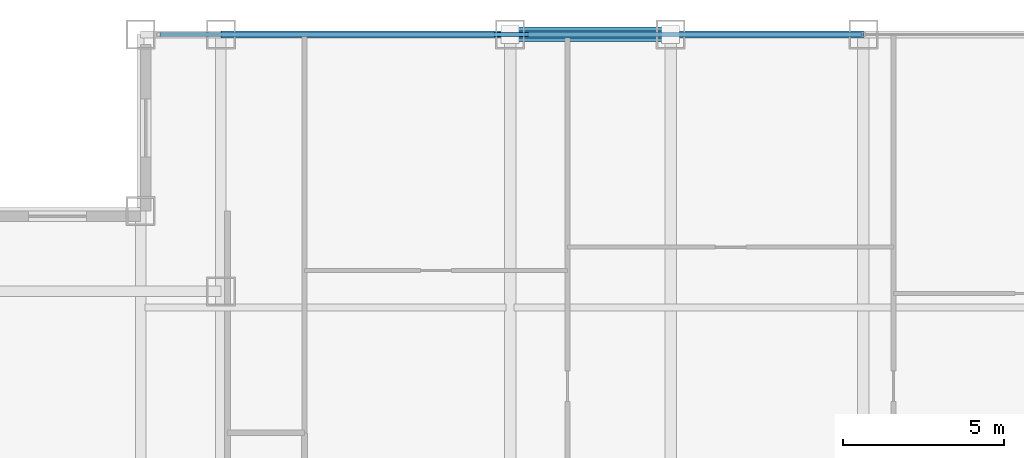
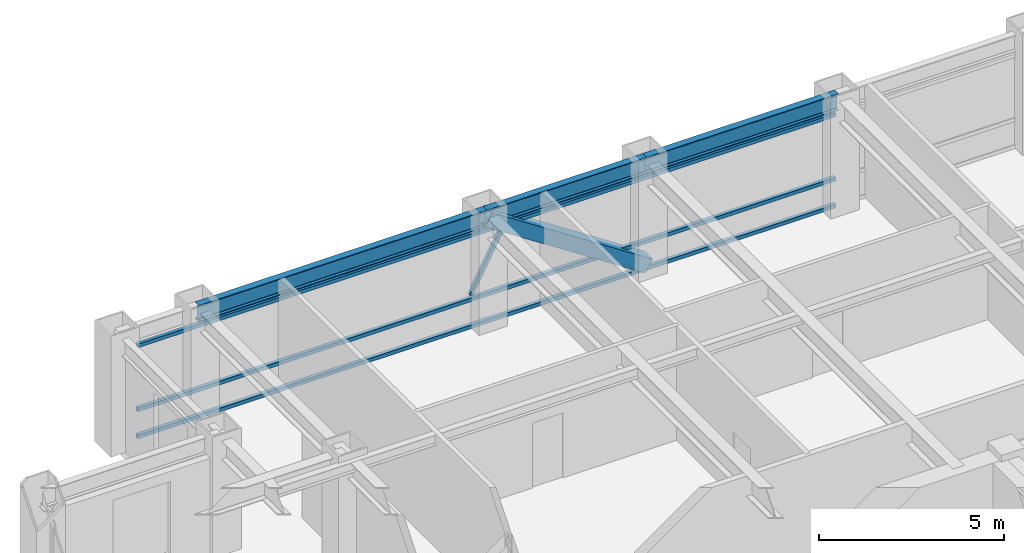
# One storey, part 13 of 22: 5 members, 3 beams, 1 element without a shape of its own.
"""IFC4 building model written with IfcOpenShell, lengths in metres."""

from ifc_helpers import new_model, si_unit, direction, frame, origin, origin_2d, place, context, subcontext, project, spatial, hollow_rectangle, i_section, extrude, source, transform, mapped, material, material_profile, profile_set, type_object, element, aggregate, save


model = new_model("IFC4")

# Units and contexts
model_context = context("Model", 3, precision=1e-05, world=origin(), true_north=direction((0.0, 1.0)))
body_context = subcontext(model_context, "Body", "Model", "MODEL_VIEW")
ifc_project = project(units=[si_unit("LENGTHUNIT", "METRE"), si_unit("AREAUNIT", "SQUARE_METRE"), si_unit("VOLUMEUNIT", "CUBIC_METRE"), si_unit("PLANEANGLEUNIT", "RADIAN"), si_unit("MASSUNIT", "GRAM", prefix="KILO")], contexts=[model_context])

# Site, building, storey
site_placement = place(None, origin())
site = spatial("IfcSite", under=ifc_project, at=site_placement, CompositionType="ELEMENT")
building_placement = place(site_placement, origin())
building = spatial("IfcBuilding", under=site, at=building_placement, Name="Khorayat Bourse Tower", CompositionType="ELEMENT")
storey_placement = place(building_placement, frame((0.0, 0.0, 309.5)))
storey = spatial("IfcBuildingStorey", under=building, at=storey_placement, Name="L73", CompositionType="ELEMENT", Elevation=309.5)

# Member
ifc_material_1 = material(Name="Steel EN 10025-4 S460M", Category="steel")
ifc_material_profile_1 = material_profile(ifc_material_1, hollow_rectangle(XDim=0.449951171875, YDim=0.449951171875, WallThickness=0.02490234375, at=origin_2d()), Name="HSS 450x450x25")
ifc_profile_set_1 = profile_set([ifc_material_profile_1], Name="Steel EN 10025-4 S460M")
member_type_1 = type_object("IfcMemberType", Name="MBR-TUBE-450", PredefinedType="BRACE", material=ifc_profile_set_1)
shared_shape_1 = source(origin(), body_context, "Body", "SweptSolid", [
    extrude(hollow_rectangle(XDim=0.449951171875, YDim=0.449951171875, WallThickness=0.02490234375, at=origin_2d()), origin(), (0.0, 0.0, 1.0), 5.979736328125),
])
member_1_placement = place(storey_placement, frame((-11.0, 28.0, 3.530029296875), z_axis=(0.836141536525, 0.0, -0.548513747227), x_axis=(0.0, 1.0, 0.0)))
element("IfcMember", 1, at=member_1_placement, inside=storey, type_object=member_type_1, Name="L73 Perimeter Tube Brace 03", PredefinedType="BRACE", context=body_context, shape_type="MappedRepresentation", body=[
    mapped(shared_shape_1, transform((0.0, 0.0, 0.0), scale=1.0)),
])

# Beams
ifc_material_2 = material(Name="Steel ASTM A992 Grade 50", Category="steel")
ifc_material_profile_2 = material_profile(ifc_material_2, i_section(OverallWidth=0.214111328125, OverallDepth=0.549072265625, WebThickness=0.0146484375, FlangeThickness=0.023681640625, FilletRadius=0.013916015625, at=origin_2d()), Name="W530X138")
ifc_profile_set_2 = profile_set([ifc_material_profile_2], Name="Steel ASTM A992 Grade 50")
beam_type = type_object("IfcBeamType", Name="BM-SPAN-530", PredefinedType="SPANDREL", material=ifc_profile_set_2)
shared_shape_2 = source(origin(), body_context, "Body", "SweptSolid", [
    extrude(i_section(OverallWidth=0.214111328125, OverallDepth=0.549072265625, WebThickness=0.0146484375, FlangeThickness=0.023681640625, FilletRadius=0.013916015625, at=origin_2d()), origin(), (0.0, 0.0, 1.0), 9.0),
])
beam_1_placement = place(storey_placement, frame((-20.0, 28.0, 3.505615234375), z_axis=(1.0, 0.0, 0.0), x_axis=(0.0, 1.0, 0.0)))
element("IfcBeam", 2, at=beam_1_placement, inside=storey, type_object=beam_type, Name="L73 BM-SPAN-530 BM-L73-SPN-050", PredefinedType="SPANDREL", context=body_context, shape_type="MappedRepresentation", body=[
    mapped(shared_shape_2, transform((0.0, 0.0, 0.0), scale=1.0)),
])
shared_shape_3 = source(origin(), body_context, "Body", "SweptSolid", [
    extrude(i_section(OverallWidth=0.214111328125, OverallDepth=0.549072265625, WebThickness=0.0146484375, FlangeThickness=0.023681640625, FilletRadius=0.013916015625, at=origin_2d()), origin(), (0.0, 0.0, 1.0), 5.0),
])
beam_2_placement = place(storey_placement, frame((-11.0, 28.0, 3.505615234375), z_axis=(1.0, 0.0, 0.0), x_axis=(0.0, 1.0, 0.0)))
element("IfcBeam", 3, at=beam_2_placement, inside=storey, type_object=beam_type, Name="L73 BM-SPAN-530 BM-L73-SPN-049", PredefinedType="SPANDREL", context=body_context, shape_type="MappedRepresentation", body=[
    mapped(shared_shape_3, transform((0.0, 0.0, 0.0), scale=1.0)),
])
shared_shape_4 = source(origin(), body_context, "Body", "SweptSolid", [
    extrude(i_section(OverallWidth=0.214111328125, OverallDepth=0.549072265625, WebThickness=0.0146484375, FlangeThickness=0.023681640625, FilletRadius=0.013916015625, at=origin_2d()), origin(), (0.0, 0.0, 1.0), 6.0),
])
beam_3_placement = place(storey_placement, frame((-6.0, 28.0, 3.505615234375), z_axis=(1.0, 0.0, 0.0), x_axis=(0.0, 1.0, 0.0)))
element("IfcBeam", 4, at=beam_3_placement, inside=storey, type_object=beam_type, Name="L73 BM-SPAN-530 BM-L73-SPN-048", PredefinedType="SPANDREL", context=body_context, shape_type="MappedRepresentation", body=[
    mapped(shared_shape_4, transform((0.0, 0.0, 0.0), scale=1.0)),
])

# Curtain wall, members
ifc_material_3 = material(Name="Aluminium EN AW-6063 T6", Category="aluminium")
curtain_wall_type = type_object("IfcCurtainWallType", Name="CW-SYS-04", PredefinedType="NOTDEFINED", material=ifc_material_3)
curtain_wall_placement = place(storey_placement, origin())
curtain_wall = element("IfcCurtainWall", 5, at=curtain_wall_placement, inside=storey, type_object=curtain_wall_type, Name="L73 Curtain Wall CW-L73-N1", PredefinedType="NOTDEFINED")
ifc_material_profile_3 = material_profile(ifc_material_3, hollow_rectangle(XDim=0.1201171875, YDim=0.1201171875, WallThickness=0.0048828125, at=origin_2d()), Name="ALU 120x120x5")
ifc_profile_set_3 = profile_set([ifc_material_profile_3], Name="Aluminium EN AW-6063 T6")
member_type_2 = type_object("IfcMemberType", Name="CWM-DIAG-120", PredefinedType="MULLION", material=ifc_profile_set_3)
shared_shape_5 = source(origin(), body_context, "Body", "SweptSolid", [
    extrude(hollow_rectangle(XDim=0.1201171875, YDim=0.1201171875, WallThickness=0.0048828125, at=origin_2d()), origin(), (0.0, 0.0, 1.0), 2.0791015625),
])
member_2_placement = place(storey_placement, frame((-11.4541015625, 28.0, 1.090087890625), z_axis=(0.465717394116, 0.0, 0.884933505309), x_axis=(0.0, 1.0, 0.0)))
member_2 = element("IfcMember", 6, at=member_2_placement, type_object=member_type_2, Name="CW-L73-N1 Faceted Diagonal Mullion 1", PredefinedType="MULLION", context=body_context, shape_type="MappedRepresentation", body=[
    mapped(shared_shape_5, transform((0.0, 0.0, 0.0), scale=1.0)),
])
ifc_material_profile_4 = material_profile(ifc_material_3, hollow_rectangle(XDim=0.1201171875, YDim=0.1201171875, WallThickness=0.0048828125, at=origin_2d()), Name="ALU 120x120x5")
ifc_profile_set_4 = profile_set([ifc_material_profile_4], Name="Aluminium EN AW-6063 T6")
member_type_3 = type_object("IfcMemberType", Name="CWT-HORZ-120", PredefinedType="USERDEFINED", material=ifc_profile_set_4)
shared_shape_6 = source(origin(), body_context, "Body", "SweptSolid", [
    extrude(hollow_rectangle(XDim=0.1201171875, YDim=0.1201171875, WallThickness=0.0048828125, at=origin_2d()), origin(), (0.0, 0.0, 1.0), 21.81982421875),
])
member_3_placement = place(storey_placement, frame((-21.8798828125, 28.0, 0.06005859375), z_axis=(1.0, 0.0, 0.0), x_axis=(0.0, 1.0, 0.0)))
member_3 = element("IfcMember", 7, at=member_3_placement, type_object=member_type_3, Name="CW-L73-N1 Horizontal Transom 1-1", ObjectType="TRANSOM", PredefinedType="USERDEFINED", context=body_context, shape_type="MappedRepresentation", body=[
    mapped(shared_shape_6, transform((0.0, 0.0, 0.0), scale=1.0)),
])
member_4_placement = place(storey_placement, frame((-21.8798828125, 28.0, 0.949951171875), z_axis=(1.0, 0.0, 0.0), x_axis=(0.0, 1.0, 0.0)))
member_4 = element("IfcMember", 8, at=member_4_placement, type_object=member_type_3, Name="CW-L73-N1 Horizontal Transom 1-2", ObjectType="TRANSOM", PredefinedType="USERDEFINED", context=body_context, shape_type="MappedRepresentation", body=[
    mapped(shared_shape_6, transform((0.0, 0.0, 0.0), scale=1.0)),
])
member_5_placement = place(storey_placement, frame((-21.8798828125, 28.0, 3.070068359375), z_axis=(1.0, 0.0, 0.0), x_axis=(0.0, 1.0, 0.0)))
member_5 = element("IfcMember", 9, at=member_5_placement, type_object=member_type_3, Name="CW-L73-N1 Horizontal Transom 1-3", ObjectType="TRANSOM", PredefinedType="USERDEFINED", context=body_context, shape_type="MappedRepresentation", body=[
    mapped(shared_shape_6, transform((0.0, 0.0, 0.0), scale=1.0)),
])
aggregate(curtain_wall, [member_3, member_4, member_5, member_2])

save(model, "model.ifc")
